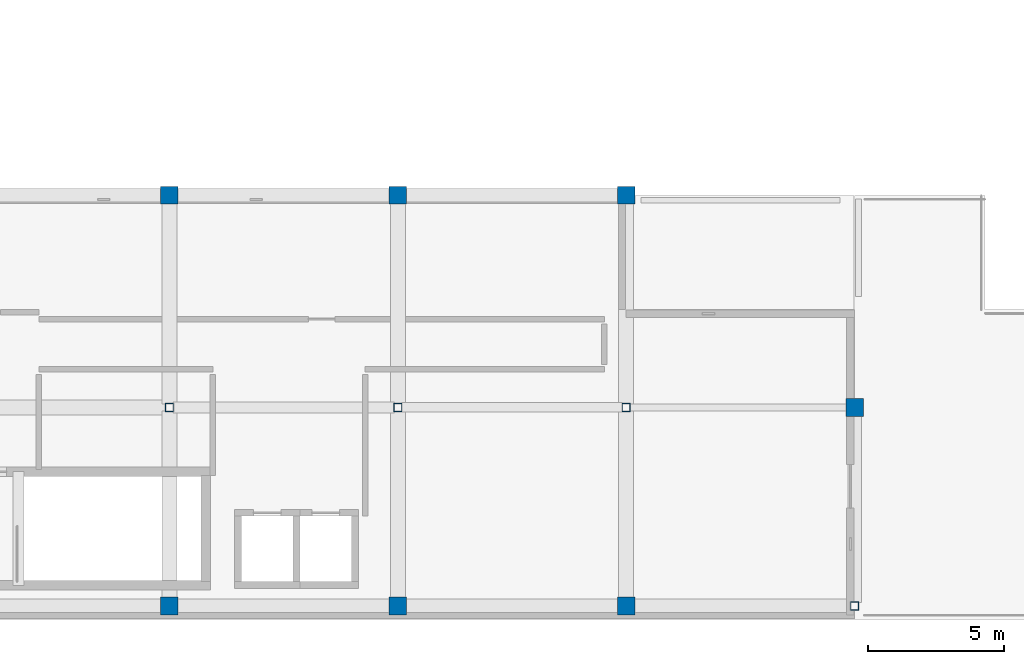
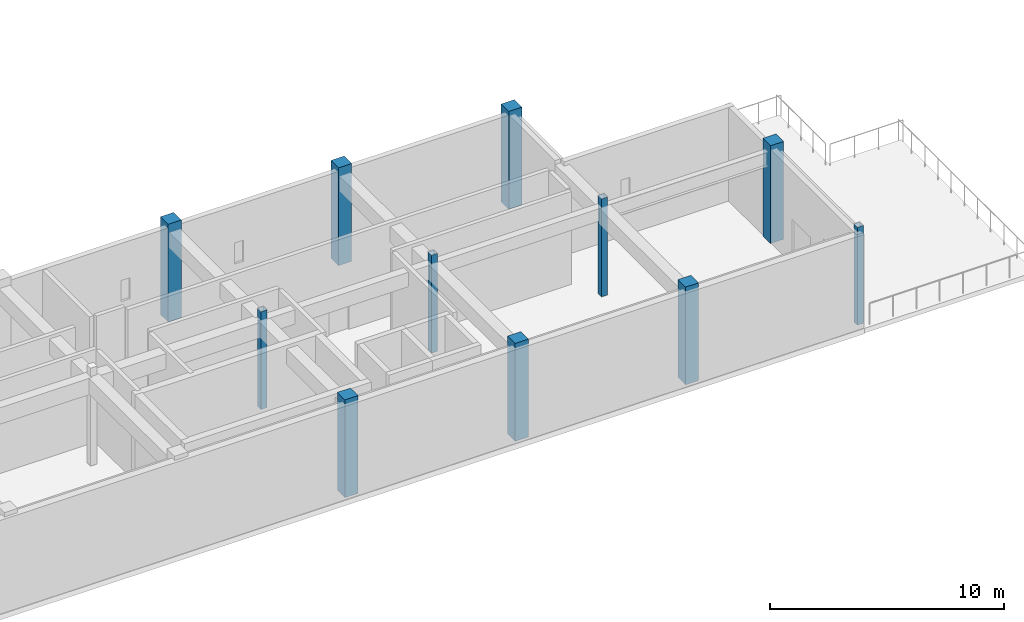
# One storey, part 2 of 78: 11 columns.
"""IFC4 building model written with IfcOpenShell, lengths in metres."""

from ifc_helpers import new_model, si_unit, direction, frame, origin, origin_2d, place, context, subcontext, project, spatial, rectangle, hollow_rectangle, extrude, material, material_profile, profile_set, type_object, element, save


model = new_model("IFC4")

# Units and contexts
model_context = context("Model", 3, precision=1e-05, world=origin(), true_north=direction((0.0, 1.0)))
body_context = subcontext(model_context, "Body", "Model", "MODEL_VIEW")
ifc_project = project(units=[si_unit("LENGTHUNIT", "METRE"), si_unit("AREAUNIT", "SQUARE_METRE"), si_unit("VOLUMEUNIT", "CUBIC_METRE"), si_unit("PLANEANGLEUNIT", "RADIAN"), si_unit("MASSUNIT", "GRAM", prefix="KILO")], contexts=[model_context])

# Site, building, storey
site_placement = place(None, origin())
site = spatial("IfcSite", under=ifc_project, at=site_placement, CompositionType="ELEMENT")
building_placement = place(site_placement, origin())
building = spatial("IfcBuilding", under=site, at=building_placement, Name="Quendrovan Civic Courthouse", CompositionType="ELEMENT")
storey_placement = place(building_placement, frame((0.0, 0.0, 20.39990234375)))
storey = spatial("IfcBuildingStorey", under=building, at=storey_placement, Name="L05", CompositionType="ELEMENT", Elevation=20.39990234375)

# Columns
ifc_material_1 = material(Name="Concrete C45/55", Category="concrete")
ifc_material_profile_1 = material_profile(ifc_material_1, rectangle(XDim=0.64990234375, YDim=0.64990234375, at=origin_2d()), Name="RC-COL-650x650")
ifc_profile_set_1 = profile_set([ifc_material_profile_1], Name="Concrete C45/55")
column_type_1 = type_object("IfcColumnType", Name="COL-RC650", PredefinedType="COLUMN", material=ifc_profile_set_1)
for number, where, z_axis, x_axis, name in (
    (1, (33.60009765625, 0.5, 0.0), (0.0, 0.0, 1.0), (1.0, 0.0, 0.0), "L05 Column 5-A"),
    (2, (33.60009765625, 15.60009765625, 0.0), (0.0, 0.0, 1.0), (1.0, 0.0, 0.0), "L05 Column 5-C"),
    (3, (42.0, 0.5, 0.0), (0.0, 0.0, 1.0), (1.0, 0.0, 0.0), "L05 Column 6-A"),
    (4, (42.0, 15.60009765625, 0.0), (0.0, 0.0, 1.0), (1.0, 0.0, 0.0), "L05 Column 6-C"),
    (5, (50.39990234375, 0.5, 0.0), (0.0, 0.0, 1.0), (1.0, 0.0, 0.0), "L05 Column 7-A"),
    (6, (50.39990234375, 15.60009765625, 0.0), (0.0, 0.0, 1.0), (1.0, 0.0, 0.0), "L05 Column 7-C"),
    (7, (58.800048828125, 7.800048828125, 0.0), (0.0, 0.0, 1.0), (1.0, 0.0, 0.0), "L05 Column 8-B"),
):
    element("IfcColumn", number, at=place(storey_placement, frame(where, z_axis=z_axis, x_axis=x_axis)), inside=storey, type_object=column_type_1, Name=name, PredefinedType="COLUMN", context=body_context, shape_type="SweptSolid", body=[
        extrude(rectangle(XDim=0.64990234375, YDim=0.64990234375, at=origin_2d()), origin(), (0.0, 0.0, 1.0), 5.10009765625),
    ])
ifc_material_2 = material(Name="Steel ASTM A500 Grade C", Category="steel")
ifc_material_profile_2 = material_profile(ifc_material_2, hollow_rectangle(XDim=0.300048828125, YDim=0.300048828125, WallThickness=0.011962890625, at=origin_2d()), Name="HSS300x300x12")
ifc_profile_set_2 = profile_set([ifc_material_profile_2], Name="Steel ASTM A500 Grade C")
column_type_2 = type_object("IfcColumnType", Name="COL-STL-HSS300S", PredefinedType="COLUMN", material=ifc_profile_set_2)
for number, where, z_axis, x_axis, name in (
    (8, (33.60009765625, 7.800048828125, 0.0), (0.0, 0.0, 1.0), (1.0, 0.0, 0.0), "L05 Column 5-B"),
    (9, (42.0, 7.800048828125, 0.0), (0.0, 0.0, 1.0), (1.0, 0.0, 0.0), "L05 Column 6-B"),
    (10, (50.39990234375, 7.800048828125, 0.0), (0.0, 0.0, 1.0), (1.0, 0.0, 0.0), "L05 Column 7-B"),
    (11, (58.800048828125, 0.5, 0.0), (0.0, 0.0, 1.0), (1.0, 0.0, 0.0), "L05 Column 8-A"),
):
    element("IfcColumn", number, at=place(storey_placement, frame(where, z_axis=z_axis, x_axis=x_axis)), inside=storey, type_object=column_type_2, Name=name, PredefinedType="COLUMN", context=body_context, shape_type="SweptSolid", body=[
        extrude(hollow_rectangle(XDim=0.300048828125, YDim=0.300048828125, WallThickness=0.011962890625, at=origin_2d()), origin(), (0.0, 0.0, 1.0), 5.10009765625),
    ])

save(model, "model.ifc")
